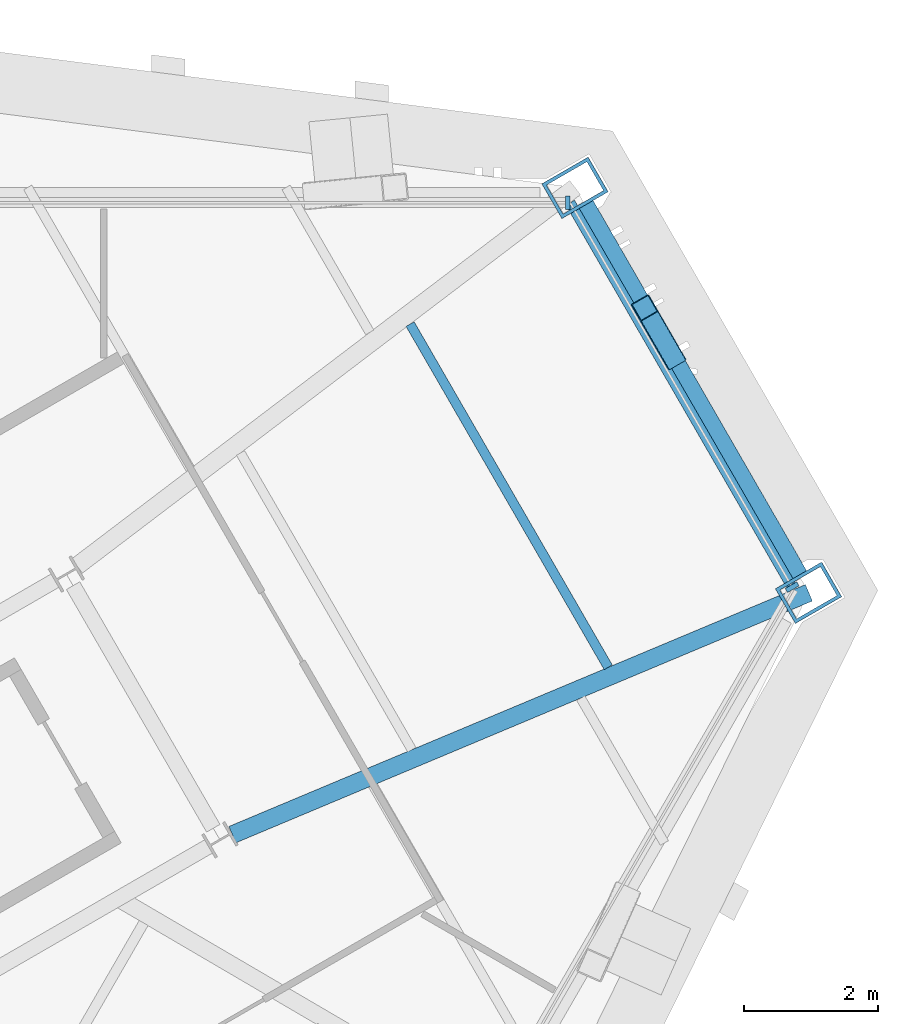
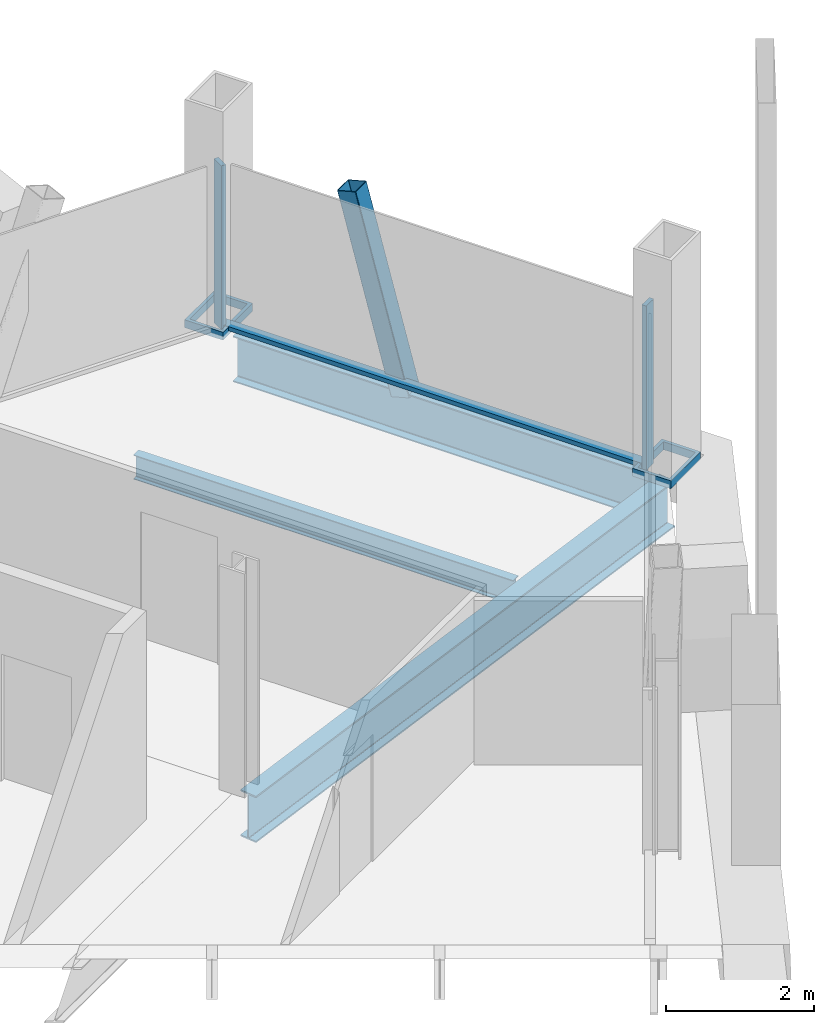
# One storey, part 8 of 16: 6 members, 3 beams, 2 elements without a shape of their own.
"""IFC4 building model written with IfcOpenShell, lengths in metres."""

from ifc_helpers import new_model, si_unit, direction, frame, origin, origin_2d, place, context, subcontext, project, spatial, rectangle, hollow_rectangle, i_section, extrude, material, material_profile, profile_set, type_object, element, aggregate, save


model = new_model("IFC4")

# Units and contexts
model_context = context("Model", 3, precision=1e-05, world=origin(), true_north=direction((0.0, 1.0)))
body_context = subcontext(model_context, "Body", "Model", "MODEL_VIEW")
ifc_project = project(units=[si_unit("LENGTHUNIT", "METRE"), si_unit("AREAUNIT", "SQUARE_METRE"), si_unit("VOLUMEUNIT", "CUBIC_METRE"), si_unit("PLANEANGLEUNIT", "RADIAN"), si_unit("MASSUNIT", "GRAM", prefix="KILO")], contexts=[model_context])

# Site, building, storey
site_placement = place(None, origin())
site = spatial("IfcSite", under=ifc_project, at=site_placement, CompositionType="ELEMENT")
building_placement = place(site_placement, origin())
building = spatial("IfcBuilding", under=site, at=building_placement, Name="Verrane Prism Tower", CompositionType="ELEMENT")
storey_placement = place(building_placement, frame((0.0, 0.0, 247.10009765625)))
storey = spatial("IfcBuildingStorey", under=building, at=storey_placement, Name="L62", CompositionType="ELEMENT", Elevation=247.10009765625)

# Member
ifc_material_1 = material(Name="Steel A500 Grade C", Category="steel")
ifc_material_profile_1 = material_profile(ifc_material_1, hollow_rectangle(XDim=0.3046875, YDim=0.3046875, WallThickness=0.0126953125, InnerFilletRadius=0.00634765625, OuterFilletRadius=0.01904296875, at=origin_2d()), Name="HSS12x12x1/2")
ifc_profile_set_1 = profile_set([ifc_material_profile_1], Name="Steel A500 Grade C")
member_type_1 = type_object("IfcMemberType", Name="Chamfer brace HSS12x12x1/2", PredefinedType="BRACE", material=ifc_profile_set_1)
member_1_placement = place(storey_placement, frame((24.300048828125, 14.697998046875, -0.24267578125), z_axis=(-0.130489501537, 0.226252569776, 0.965288694981), x_axis=(-0.866253239443, -0.499605169263, 0.0)))
element("IfcMember", 1, at=member_1_placement, inside=storey, type_object=member_type_1, Name="Chamfer brace NE0 L62", PredefinedType="BRACE", context=body_context, shape_type="SweptSolid", body=[
    extrude(hollow_rectangle(XDim=0.3046875, YDim=0.3046875, WallThickness=0.0126953125, InnerFilletRadius=0.00634765625, OuterFilletRadius=0.01904296875, at=origin_2d()), origin(), (0.0, 0.0, 1.0), 3.219970703125),
])

# Beams
ifc_material_2 = material(Name="Steel A992", Category="steel")
ifc_material_profile_2 = material_profile(ifc_material_2, i_section(OverallWidth=0.2666015625, OverallDepth=0.7568359375, WebThickness=0.013916015625, FlangeThickness=0.019287109375, FilletRadius=0.0166015625, at=origin_2d()), Name="W30x108")
ifc_profile_set_2 = profile_set([ifc_material_profile_2], Name="Steel A992")
beam_type_1 = type_object("IfcBeamType", Name="Chamfer spandrel beam W30x108", PredefinedType="SPANDREL", material=ifc_profile_set_2)
beam_1_placement = place(storey_placement, frame((26.190185546875, 11.419921875, -0.53857421875), z_axis=(-0.499500311129, 0.866313707142, 0.0), x_axis=(-0.866313707142, -0.499500311129, 0.0)))
element("IfcBeam", 2, at=beam_1_placement, inside=storey, type_object=beam_type_1, Name="Chamfer spandrel beam L62", PredefinedType="SPANDREL", context=body_context, shape_type="SweptSolid", body=[
    extrude(i_section(OverallWidth=0.2666015625, OverallDepth=0.7568359375, WebThickness=0.013916015625, FlangeThickness=0.019287109375, FilletRadius=0.0166015625, at=origin_2d()), origin(), (0.0, 0.0, 1.0), 6.40673828125),
])
ifc_material_3 = material(Name="Steel A992", Category="steel")
ifc_material_profile_3 = material_profile(ifc_material_3, i_section(OverallWidth=0.2666015625, OverallDepth=0.76708984375, WebThickness=0.014892578125, FlangeThickness=0.023681640625, FilletRadius=0.0166015625, at=origin_2d()), Name="W30x124")
ifc_profile_set_3 = profile_set([ifc_material_profile_3], Name="Steel A992")
beam_type_2 = type_object("IfcBeamType", Name="Corner girder W30x124", PredefinedType="BEAM", material=ifc_profile_set_3)
beam_2_placement = place(storey_placement, frame((26.338623046875, 11.159423828125, -0.603515625), z_axis=(-0.922149974892, -0.386832552671, 0.0), x_axis=(0.386832552671, -0.922149974892, 0.0)))
element("IfcBeam", 3, at=beam_2_placement, inside=storey, type_object=beam_type_2, Name="Corner girder L62", PredefinedType="BEAM", context=body_context, shape_type="SweptSolid", body=[
    extrude(i_section(OverallWidth=0.2666015625, OverallDepth=0.76708984375, WebThickness=0.014892578125, FlangeThickness=0.023681640625, FilletRadius=0.0166015625, at=origin_2d()), origin(), (0.0, 0.0, 1.0), 9.362060546875),
])
ifc_material_4 = material(Name="Steel A992", Category="steel")
ifc_material_profile_4 = material_profile(ifc_material_4, i_section(OverallWidth=0.140380859375, OverallDepth=0.40380859375, WebThickness=0.007080078125, FlangeThickness=0.01123046875, FilletRadius=0.01025390625, at=origin_2d()), Name="W16x31")
ifc_profile_set_4 = profile_set([ifc_material_profile_4], Name="Steel A992")
beam_type_3 = type_object("IfcBeamType", Name="Floor beam W16x31", PredefinedType="BEAM", material=ifc_profile_set_4)
beam_3_placement = place(storey_placement, frame((23.334716796875, 10.0439453125, -0.362060546875), z_axis=(-0.500019194352, 0.866014321637, 0.0), x_axis=(-0.866014321637, -0.500019194352, 0.0)))
element("IfcBeam", 4, at=beam_3_placement, inside=storey, type_object=beam_type_3, Name="Floor beam L62", PredefinedType="BEAM", context=body_context, shape_type="SweptSolid", body=[
    extrude(i_section(OverallWidth=0.140380859375, OverallDepth=0.40380859375, WebThickness=0.007080078125, FlangeThickness=0.01123046875, FilletRadius=0.01025390625, at=origin_2d()), origin(), (0.0, 0.0, 1.0), 5.934814453125),
])

# Members
ifc_material_5 = material(Name="Steel A572 Grade 50", Category="steel")
ifc_material_profile_5 = material_profile(ifc_material_5, hollow_rectangle(XDim=0.60009765625, YDim=0.800048828125, WallThickness=0.050048828125, at=origin_2d()), Name="BOX 800x600x50")
ifc_profile_set_5 = profile_set([ifc_material_profile_5], Name="Steel A572 Grade 50")
member_type_2 = type_object("IfcMemberType", Name="Kink node BOX 800x600x50", PredefinedType="COLLAR", material=ifc_profile_set_5)
for number, where, z_axis, x_axis, name in (
    (5, (26.3330078125, 11.159912109375, -0.065185546875), (0.0, 0.0, 1.0), (0.5, -0.866025403784, 0.0), "Kink node MC4 L62"),
    (6, (22.83642578125, 17.223876953125, -0.065185546875), (0.0, 0.0, 1.0), (0.5, -0.866025403784, 0.0), "Kink node MC4 L62"),
):
    element("IfcMember", number, at=place(storey_placement, frame(where, z_axis=z_axis, x_axis=x_axis)), inside=storey, type_object=member_type_2, Name=name, PredefinedType="COLLAR", context=body_context, shape_type="SweptSolid", body=[
        extrude(hollow_rectangle(XDim=0.60009765625, YDim=0.800048828125, WallThickness=0.050048828125, at=origin_2d()), origin(), (0.0, 0.0, 1.0), 0.130126953125),
    ])

# Curtain wall, member
ifc_material_6 = material(Name="Aluminium framed insulated glazing", Category="aluminium")
curtain_wall_type = type_object("IfcCurtainWallType", Name="Curtain wall CW-A 8400 module", PredefinedType="NOTDEFINED", material=ifc_material_6)
curtain_wall_1_placement = place(storey_placement, origin())
curtain_wall_1 = element("IfcCurtainWall", 7, at=curtain_wall_1_placement, inside=storey, type_object=curtain_wall_type, Name="Glazed curtain wall north-east corner L62", PredefinedType="NOTDEFINED")
ifc_material_7 = material(Name="Aluminium alloy 6063-T6", Category="aluminium")
ifc_material_profile_6 = material_profile(ifc_material_7, rectangle(XDim=0.199951171875, YDim=0.070068359375, at=origin_2d()), Name="Mullion 70x200 aluminium")
ifc_profile_set_6 = profile_set([ifc_material_profile_6], Name="Aluminium alloy 6063-T6")
member_type_3 = type_object("IfcMemberType", Name="Mullion 70x200 aluminium", PredefinedType="MULLION", material=ifc_profile_set_6)
member_2_placement = place(storey_placement, frame((26.08837890625, 11.24365234375, 0.0), z_axis=(0.0, 0.0, 1.0), x_axis=(-0.866027625781, -0.49999615137, 0.0)))
member_2 = element("IfcMember", 8, at=member_2_placement, type_object=member_type_3, Name="CW62.1 mullion 1", PredefinedType="MULLION", context=body_context, shape_type="SweptSolid", body=[
    extrude(rectangle(XDim=0.199951171875, YDim=0.070068359375, at=origin_2d()), origin(), (0.0, 0.0, 1.0), 2.712890625),
])

curtain_wall_2_placement = place(storey_placement, origin())
curtain_wall_2 = element("IfcCurtainWall", 9, at=curtain_wall_2_placement, inside=storey, type_object=curtain_wall_type, Name="Glazed curtain wall north face L62", PredefinedType="NOTDEFINED")
member_3_placement = place(storey_placement, frame((22.72900390625, 17.001708984375, 0.0), z_axis=(0.0, 0.0, 1.0), x_axis=(0.0, -1.0, 0.0)))
member_3 = element("IfcMember", 10, at=member_3_placement, type_object=member_type_3, Name="CW62.2 mullion 1", PredefinedType="MULLION", context=body_context, shape_type="SweptSolid", body=[
    extrude(rectangle(XDim=0.199951171875, YDim=0.070068359375, at=origin_2d()), origin(), (0.0, 0.0, 1.0), 2.712890625),
])
aggregate(curtain_wall_2, [member_3])

# Member
ifc_material_8 = material(Name="Aluminium alloy 6063-T6", Category="aluminium")
ifc_material_profile_7 = material_profile(ifc_material_8, rectangle(XDim=0.14990234375, YDim=0.070068359375, at=origin_2d()), Name="Transom 70x150 aluminium")
ifc_profile_set_7 = profile_set([ifc_material_profile_7], Name="Aluminium alloy 6063-T6")
member_type_4 = type_object("IfcMemberType", Name="Transom 70x150 aluminium", PredefinedType="USERDEFINED", material=ifc_profile_set_7)
member_4_placement = place(storey_placement, frame((26.071044921875, 11.27392578125, 0.034912109375), z_axis=(-0.49999405694, 0.866028834985, 0.0), x_axis=(-0.866028834985, -0.49999405694, 0.0)))
member_4 = element("IfcMember", 11, at=member_4_placement, type_object=member_type_4, Name="CW62.1 transom 1", ObjectType="TRANSOM", PredefinedType="USERDEFINED", context=body_context, shape_type="SweptSolid", body=[
    extrude(rectangle(XDim=0.14990234375, YDim=0.070068359375, at=origin_2d()), origin(), (0.0, 0.0, 1.0), 6.61376953125),
])

aggregate(curtain_wall_1, [member_2, member_4])

save(model, "model.ifc")
